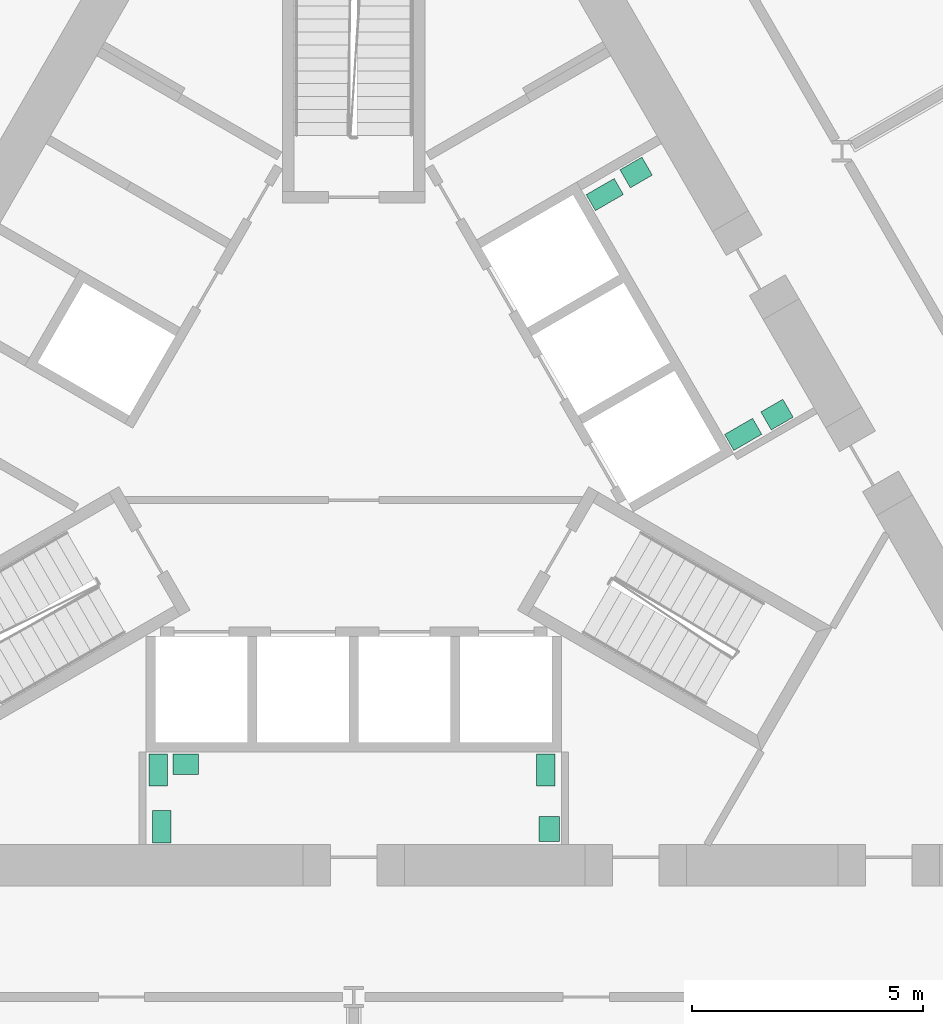
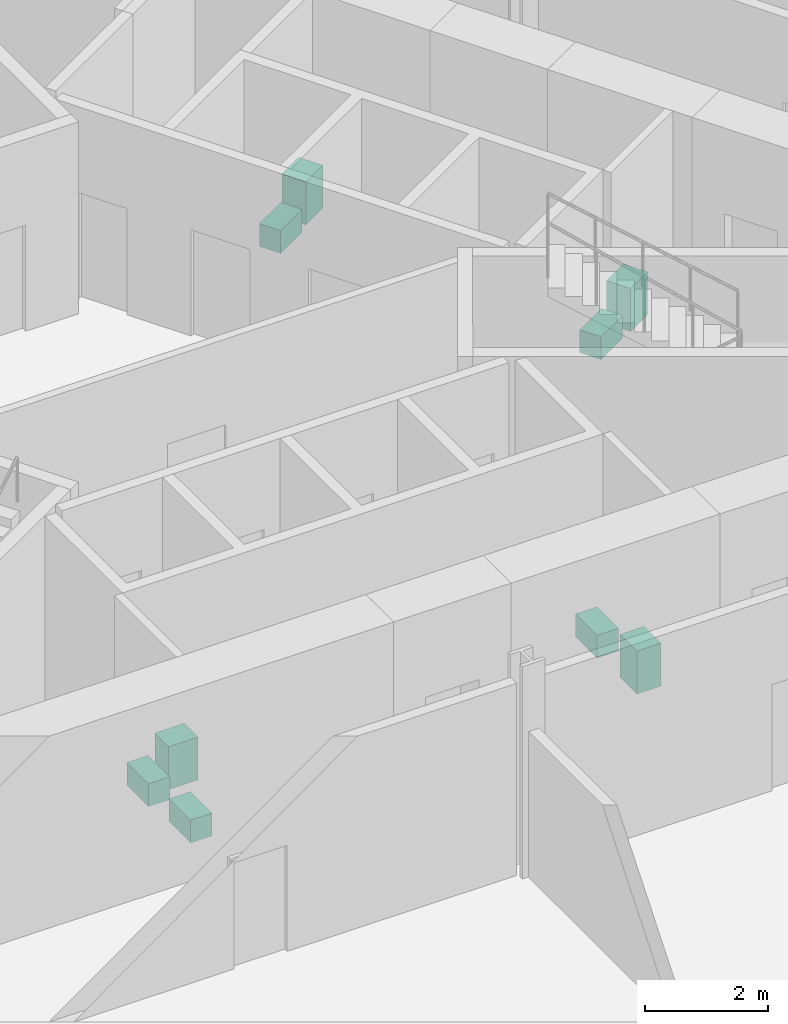
# One storey, part 19 of 20: 9 sanitary terminals.
"""IFC4 building model written with IfcOpenShell, lengths in metres."""

from ifc_helpers import new_model, si_unit, direction, frame, origin, origin_2d, place, context, subcontext, project, spatial, rectangle, extrude, material, type_object, element, save


model = new_model("IFC4")

# Units and contexts
model_context = context("Model", 3, precision=1e-05, world=origin(), true_north=direction((0.0, 1.0)))
body_context = subcontext(model_context, "Body", "Model", "MODEL_VIEW")
ifc_project = project(units=[si_unit("LENGTHUNIT", "METRE"), si_unit("AREAUNIT", "SQUARE_METRE"), si_unit("VOLUMEUNIT", "CUBIC_METRE"), si_unit("PLANEANGLEUNIT", "RADIAN"), si_unit("MASSUNIT", "GRAM", prefix="KILO")], contexts=[model_context])

# Site, building, storey
site_placement = place(None, origin())
site = spatial("IfcSite", under=ifc_project, at=site_placement, CompositionType="ELEMENT")
building_placement = place(site_placement, origin())
building = spatial("IfcBuilding", under=site, at=building_placement, Name="Cormorant Prow Tower", CompositionType="ELEMENT")
storey_placement = place(building_placement, frame((0.0, 0.0, 63.60009765625)))
storey = spatial("IfcBuildingStorey", under=building, at=storey_placement, Name="L13", CompositionType="ELEMENT", Elevation=63.60009765625)

# Sanitary terminals
ifc_material_1 = material(Name="Vitreous china")
sanitary_terminal_type_1 = type_object("IfcSanitaryTerminalType", Name="Wash basin 550x450", PredefinedType="WASHHANDBASIN", material=ifc_material_1)
for number, where, z_axis, x_axis, name in (
    (1, (4.235107421875, -8.574951171875, -0.000244140625), (0.0, 0.0, 1.0), (0.0, 1.0, 0.0), "Wash basin"),
    (2, (-3.639892578125, -7.1708984375, -0.000244140625), (0.0, 0.0, 1.0), (-1.0, 0.0, 0.0), "Wash basin"),
    (3, (6.118896484375, 5.651611328125, -0.000244140625), (0.0, 0.0, 1.0), (-0.866042856549, -0.499969769706, 0.0), "Wash basin"),
    (4, (9.172119140625, 0.405517578125, -0.000244140625), (0.0, 0.0, 1.0), (0.866016677006, 0.500015114919, 0.0), "Wash basin"),
):
    element("IfcSanitaryTerminal", number, at=place(storey_placement, frame(where, z_axis=z_axis, x_axis=x_axis)), inside=storey, type_object=sanitary_terminal_type_1, Name=name, PredefinedType="WASHHANDBASIN", context=body_context, shape_type="SweptSolid", body=[
        extrude(rectangle(XDim=0.550048828125, YDim=0.449951171875, at=origin_2d()), origin(), (0.0, 0.0, 1.0), 0.85009765625),
    ])
ifc_material_2 = material(Name="Vitreous china")
sanitary_terminal_type_2 = type_object("IfcSanitaryTerminalType", Name="Water closet 400x700", PredefinedType="WCSEAT", material=ifc_material_2)
for number, where, z_axis, x_axis, name in (
    (5, (-4.239990234375, -7.2958984375, 0.0), (0.0, 0.0, 1.0), (-1.0, 0.0, 0.0), "Water closet"),
    (6, (4.159912109375, -7.2958984375, 0.0), (0.0, 0.0, 1.0), (-1.0, 0.0, 0.0), "Water closet"),
    (7, (-4.159912109375, -8.52490234375, 0.0), (0.0, 0.0, 1.0), (1.0, 0.0, 0.0), "Water closet"),
    (8, (8.4384765625, -0.02392578125, 0.0), (0.0, 0.0, 1.0), (0.5, -0.866025403784, 0.0), "Water closet"),
    (9, (5.438720703125, 5.172119140625, 0.0), (0.0, 0.0, 1.0), (0.5, -0.866025403784, 0.0), "Water closet"),
):
    element("IfcSanitaryTerminal", number, at=place(storey_placement, frame(where, z_axis=z_axis, x_axis=x_axis)), inside=storey, type_object=sanitary_terminal_type_2, Name=name, PredefinedType="WCSEAT", context=body_context, shape_type="SweptSolid", body=[
        extrude(rectangle(XDim=0.39990234375, YDim=0.699951171875, at=origin_2d()), origin(), (0.0, 0.0, 1.0), 0.449951171875),
    ])

save(model, "model.ifc")
